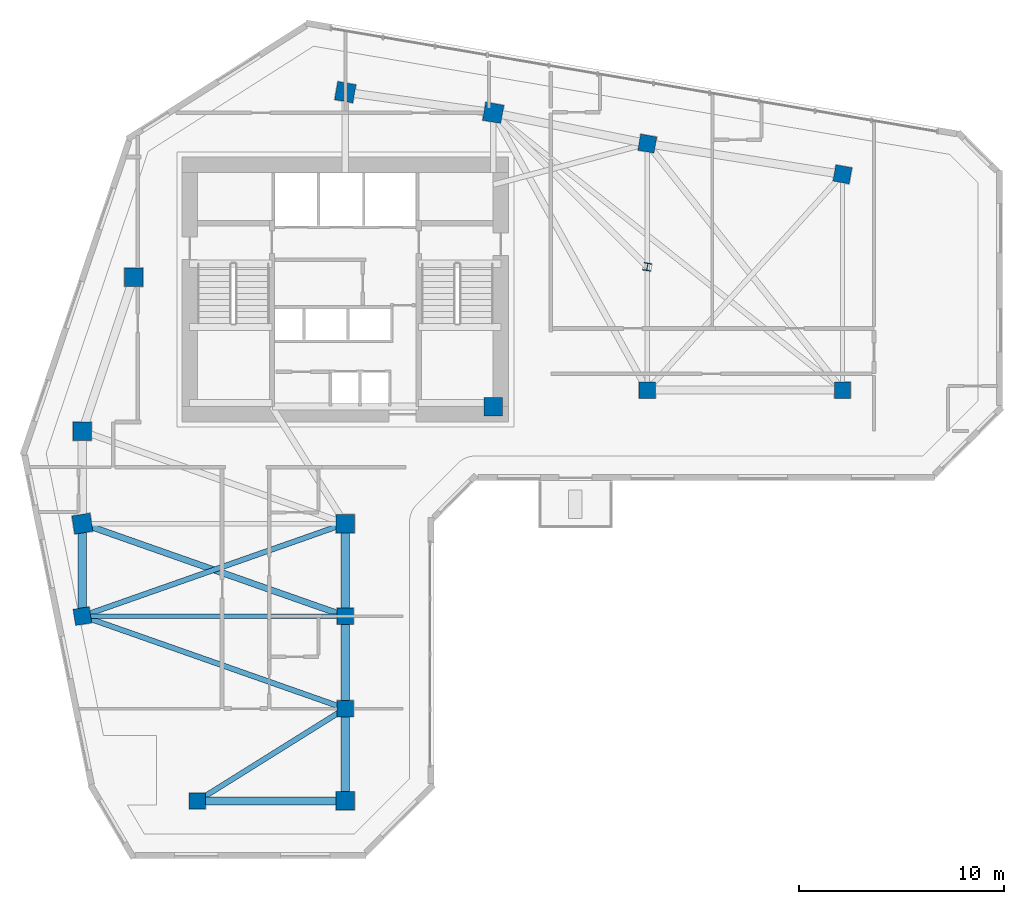
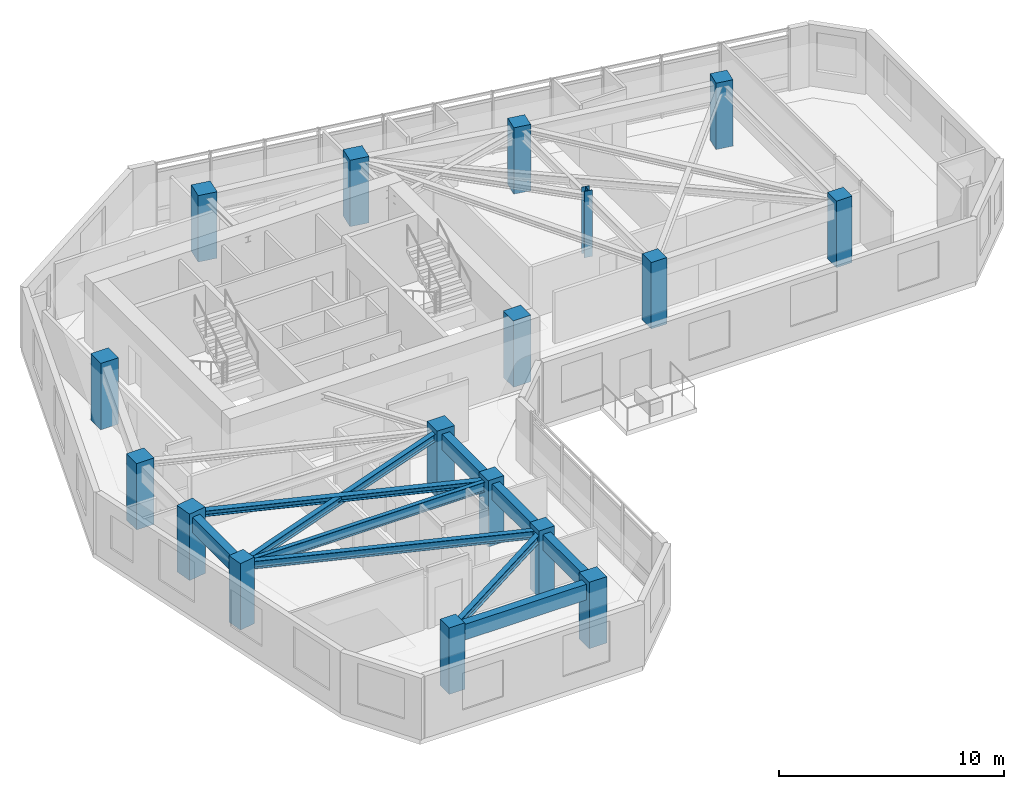
# One storey, part 1 of 11: 17 columns, 10 beams.
"""IFC4 building model written with IfcOpenShell, lengths in metres."""

from ifc_helpers import new_model, si_unit, direction, frame, origin, origin_2d, place, context, subcontext, project, spatial, rectangle, i_section, extrude, source, transform, mapped, material, material_profile, profile_set, type_object, element, save


model = new_model("IFC4")

# Units and contexts
model_context = context("Model", 3, precision=1e-05, world=origin(), true_north=direction((0.0, 1.0)))
body_context = subcontext(model_context, "Body", "Model", "MODEL_VIEW")
ifc_project = project(units=[si_unit("LENGTHUNIT", "METRE"), si_unit("AREAUNIT", "SQUARE_METRE"), si_unit("VOLUMEUNIT", "CUBIC_METRE"), si_unit("PLANEANGLEUNIT", "RADIAN"), si_unit("MASSUNIT", "GRAM", prefix="KILO")], contexts=[model_context])

# Site, building, storey
site_placement = place(None, origin())
site = spatial("IfcSite", under=ifc_project, at=site_placement, CompositionType="ELEMENT")
building_placement = place(site_placement, origin())
building = spatial("IfcBuilding", under=site, at=building_placement, Name="Calvemar Wedge Station Tower", CompositionType="ELEMENT")
storey_placement = place(building_placement, frame((0.0, 0.0, 143.0)))
storey = spatial("IfcBuildingStorey", under=building, at=storey_placement, Name="L35", CompositionType="ELEMENT", Elevation=143.0)

# Columns
ifc_material_1 = material(Name="Concrete C60", Category="concrete")
ifc_material_profile_1 = material_profile(ifc_material_1, rectangle(XDim=0.89990234375, YDim=0.89990234375, at=origin_2d()), Name="RC900x900")
ifc_profile_set_1 = profile_set([ifc_material_profile_1], Name="Concrete C60")
column_type_1 = type_object("IfcColumnType", Name="COL-C5-900", PredefinedType="COLUMN", material=ifc_profile_set_1)
shared_shape_1 = source(origin(), body_context, "Body", "SweptSolid", [
    extrude(rectangle(XDim=0.89990234375, YDim=0.89990234375, at=origin_2d()), origin(), (0.0, 0.0, 1.0), 3.60009765625),
])
for number, where, z_axis, x_axis, name in (
    (1, (11.0, 33.0, 0.0), (0.0, 0.0, 1.0), (1.0, 0.0, 0.0), "Storey L35 Column T-NW1"),
    (2, (13.5, 40.5, 0.0), (0.0, 0.0, 1.0), (1.0, 0.0, 0.0), "Storey L35 Column T-NW2"),
    (3, (23.800048828125, 49.5, 0.0), (0.0, 0.0, 1.0), (0.984195607969, -0.17708474032, 0.0), "Storey L35 Column T-N1"),
    (4, (31.0, 48.5, 0.0), (0.0, 0.0, 1.0), (0.984195607969, -0.17708474032, 0.0), "Storey L35 Column T-N2"),
    (5, (31.0, 34.199951171875, 0.0), (0.0, 0.0, 1.0), (1.0, 0.0, 0.0), "Storey L35 Column T-NL1"),
    (6, (11.0, 28.5, 0.0), (0.0, 0.0, 1.0), (0.158158067254, -0.987413806751, 0.0), "Storey L35 Column T-SW1"),
    (7, (23.800048828125, 28.5, 0.0), (0.0, 0.0, 1.0), (1.0, 0.0, 0.0), "Storey L35 Column T-SE1"),
    (8, (23.800048828125, 15.0, 0.0), (0.0, 0.0, 1.0), (1.0, 0.0, 0.0), "Storey L35 Column T-SE4"),
):
    element("IfcColumn", number, at=place(storey_placement, frame(where, z_axis=z_axis, x_axis=x_axis)), inside=storey, type_object=column_type_1, Name=name, PredefinedType="COLUMN", context=body_context, shape_type="MappedRepresentation", body=[
        mapped(shared_shape_1, transform((0.0, 0.0, 0.0), scale=1.0)),
    ])
ifc_material_2 = material(Name="Concrete C50", Category="concrete")
ifc_material_profile_2 = material_profile(ifc_material_2, rectangle(XDim=0.800048828125, YDim=0.800048828125, at=origin_2d()), Name="RC800x800")
ifc_profile_set_2 = profile_set([ifc_material_profile_2], Name="Concrete C50")
column_type_2 = type_object("IfcColumnType", Name="COL-C6-800", PredefinedType="COLUMN", material=ifc_profile_set_2)
shared_shape_2 = source(origin(), body_context, "Body", "SweptSolid", [
    extrude(rectangle(XDim=0.800048828125, YDim=0.800048828125, at=origin_2d()), origin(), (0.0, 0.0, 1.0), 3.60009765625),
])
for number, where, z_axis, x_axis, name in (
    (9, (38.5, 47.0, 0.0), (0.0, 0.0, 1.0), (0.984195607969, -0.17708474032, 0.0), "Storey L35 Column T-NU3"),
    (10, (48.0, 45.5, 0.0), (0.0, 0.0, 1.0), (0.984195607969, -0.17708474032, 0.0), "Storey L35 Column T-NU4"),
    (11, (38.5, 35.0, 0.0), (0.0, 0.0, 1.0), (1.0, 0.0, 0.0), "Storey L35 Column T-NL2"),
    (12, (48.0, 35.0, 0.0), (0.0, 0.0, 1.0), (1.0, 0.0, 0.0), "Storey L35 Column T-NL3"),
    (13, (11.0, 24.0, 0.0), (0.0, 0.0, 1.0), (0.158158067254, -0.987413806751, 0.0), "Storey L35 Column T-SW2"),
    (14, (23.800048828125, 24.0, 0.0), (0.0, 0.0, 1.0), (1.0, 0.0, 0.0), "Storey L35 Column T-SE2"),
    (15, (23.800048828125, 19.5, 0.0), (0.0, 0.0, 1.0), (1.0, 0.0, 0.0), "Storey L35 Column T-SE3"),
    (16, (16.60009765625, 15.0, 0.0), (0.0, 0.0, 1.0), (1.0, 0.0, 0.0), "Storey L35 Column T-SM1"),
):
    element("IfcColumn", number, at=place(storey_placement, frame(where, z_axis=z_axis, x_axis=x_axis)), inside=storey, type_object=column_type_2, Name=name, PredefinedType="COLUMN", context=body_context, shape_type="MappedRepresentation", body=[
        mapped(shared_shape_2, transform((0.0, 0.0, 0.0), scale=1.0)),
    ])
ifc_material_3 = material(Name="Structural steel ASTM A572 Grade 50", Category="steel")
ifc_material_profile_3 = material_profile(ifc_material_3, i_section(OverallWidth=0.3740234375, OverallDepth=0.3720703125, WebThickness=0.016357421875, FlangeThickness=0.026123046875, FilletRadius=0.014892578125, at=origin_2d()), Name="W360x196")
ifc_profile_set_3 = profile_set([ifc_material_profile_3], Name="Structural steel ASTM A572 Grade 50")
column_type_3 = type_object("IfcColumnType", Name="COL-STL-W360", PredefinedType="COLUMN", material=ifc_profile_set_3)
shared_shape_3 = source(origin(), body_context, "Body", "SweptSolid", [
    extrude(i_section(OverallWidth=0.3740234375, OverallDepth=0.3720703125, WebThickness=0.016357421875, FlangeThickness=0.026123046875, FilletRadius=0.014892578125, at=origin_2d()), origin(), (0.0, 0.0, 1.0), 3.60009765625),
])
column_placement = place(storey_placement, frame((38.5, 41.0, 0.0), z_axis=(0.0, 0.0, 1.0), x_axis=(0.984195607969, -0.17708474032, 0.0)))
element("IfcColumn", 17, at=column_placement, inside=storey, type_object=column_type_3, Name="Storey L35 Column T-NTIP-B", PredefinedType="COLUMN", context=body_context, shape_type="MappedRepresentation", body=[
    mapped(shared_shape_3, transform((0.0, 0.0, 0.0), scale=1.0)),
])

# Beams
ifc_material_profile_4 = material_profile(ifc_material_1, rectangle(XDim=0.39990234375, YDim=0.85009765625, at=origin_2d()), Name="RC400x850")
ifc_profile_set_4 = profile_set([ifc_material_profile_4], Name="Concrete C60")
beam_type_1 = type_object("IfcBeamType", Name="BM-SP1-850", PredefinedType="SPANDREL", material=ifc_profile_set_4)
shared_shape_4 = source(origin(), body_context, "Body", "SweptSolid", [
    extrude(rectangle(XDim=0.39990234375, YDim=0.85009765625, at=origin_2d()), origin(), (0.0, 0.0, 1.0), 4.5),
])
for number, where, z_axis, x_axis, name in (
    (18, (11.0, 28.5, 2.925048828125), (0.0, -1.0, 0.0), (1.0, 0.0, 0.0), "Storey L35 Spandrel T-SW1-T-SW2"),
    (19, (23.800048828125, 28.5, 2.925048828125), (0.0, -1.0, 0.0), (1.0, 0.0, 0.0), "Storey L35 Spandrel T-SE1-T-SE2"),
    (20, (23.800048828125, 24.0, 2.925048828125), (0.0, -1.0, 0.0), (1.0, 0.0, 0.0), "Storey L35 Spandrel T-SE2-T-SE3"),
    (21, (23.800048828125, 19.5, 2.925048828125), (0.0, -1.0, 0.0), (1.0, 0.0, 0.0), "Storey L35 Spandrel T-SE3-T-SE4"),
):
    element("IfcBeam", number, at=place(storey_placement, frame(where, z_axis=z_axis, x_axis=x_axis)), inside=storey, type_object=beam_type_1, Name=name, PredefinedType="SPANDREL", context=body_context, shape_type="MappedRepresentation", body=[
        mapped(shared_shape_4, transform((0.0, 0.0, 0.0), scale=1.0)),
    ])
shared_shape_5 = source(origin(), body_context, "Body", "SweptSolid", [
    extrude(rectangle(XDim=0.39990234375, YDim=0.85009765625, at=origin_2d()), origin(), (0.0, 0.0, 1.0), 7.199951171875),
])
beam_1_placement = place(storey_placement, frame((16.60009765625, 15.0, 2.925048828125), z_axis=(1.0, 0.0, 0.0), x_axis=(0.0, 1.0, 0.0)))
element("IfcBeam", 22, at=beam_1_placement, inside=storey, type_object=beam_type_1, Name="Storey L35 Spandrel T-SM1-T-SE4", PredefinedType="SPANDREL", context=body_context, shape_type="MappedRepresentation", body=[
    mapped(shared_shape_5, transform((0.0, 0.0, 0.0), scale=1.0)),
])
ifc_material_profile_5 = material_profile(ifc_material_3, i_section(OverallWidth=0.304931640625, OverallDepth=0.30810546875, WebThickness=0.010009765625, FlangeThickness=0.015380859375, FilletRadius=0.014892578125, at=origin_2d()), Name="W310x97")
ifc_profile_set_5 = profile_set([ifc_material_profile_5], Name="Structural steel ASTM A572 Grade 50")
beam_type_2 = type_object("IfcBeamType", Name="BM-J6-W310", PredefinedType="JOIST", material=ifc_profile_set_5)
shared_shape_6 = source(origin(), body_context, "Body", "SweptSolid", [
    extrude(i_section(OverallWidth=0.304931640625, OverallDepth=0.30810546875, WebThickness=0.010009765625, FlangeThickness=0.015380859375, FilletRadius=0.014892578125, at=origin_2d()), origin(), (0.0, 0.0, 1.0), 13.568115234375),
])
beam_2_placement = place(storey_placement, frame((11.0, 28.5, 3.196044921875), z_axis=(0.943398221169, -0.331662171939, 0.0), x_axis=(0.331662171939, 0.943398221169, 0.0)))
element("IfcBeam", 23, at=beam_2_placement, inside=storey, type_object=beam_type_2, Name="Storey L35 Floor Beam T-SW1-T-SE2", PredefinedType="JOIST", context=body_context, shape_type="MappedRepresentation", body=[
    mapped(shared_shape_6, transform((0.0, 0.0, 0.0), scale=1.0)),
])
ifc_material_profile_6 = material_profile(ifc_material_3, i_section(OverallWidth=0.260986328125, OverallDepth=0.419921875, WebThickness=0.01171875, FlangeThickness=0.019287109375, FilletRadius=0.012939453125, at=origin_2d()), Name="W410x114")
ifc_profile_set_6 = profile_set([ifc_material_profile_6], Name="Structural steel ASTM A572 Grade 50")
beam_type_3 = type_object("IfcBeamType", Name="BM-J2-W410H", PredefinedType="JOIST", material=ifc_profile_set_6)
shared_shape_7 = source(origin(), body_context, "Body", "SweptSolid", [
    extrude(i_section(OverallWidth=0.260986328125, OverallDepth=0.419921875, WebThickness=0.01171875, FlangeThickness=0.019287109375, FilletRadius=0.012939453125, at=origin_2d()), origin(), (0.0, 0.0, 1.0), 13.568115234375),
])
for number, where, z_axis, x_axis, name in (
    (24, (23.800048828125, 28.5, 3.139892578125), (-0.943398221169, -0.331662171939, 0.0), (0.331662171939, -0.943398221169, 0.0), "Storey L35 Floor Beam T-SE1-T-SW2"),
    (25, (11.0, 24.0, 3.139892578125), (0.943398221169, -0.331662171939, 0.0), (0.331662171939, 0.943398221169, 0.0), "Storey L35 Floor Beam T-SW2-T-SE3"),
):
    element("IfcBeam", number, at=place(storey_placement, frame(where, z_axis=z_axis, x_axis=x_axis)), inside=storey, type_object=beam_type_3, Name=name, PredefinedType="JOIST", context=body_context, shape_type="MappedRepresentation", body=[
        mapped(shared_shape_7, transform((0.0, 0.0, 0.0), scale=1.0)),
    ])
shared_shape_8 = source(origin(), body_context, "Body", "SweptSolid", [
    extrude(i_section(OverallWidth=0.260986328125, OverallDepth=0.419921875, WebThickness=0.01171875, FlangeThickness=0.019287109375, FilletRadius=0.012939453125, at=origin_2d()), origin(), (0.0, 0.0, 1.0), 8.490478515625),
])
beam_3_placement = place(storey_placement, frame((23.800048828125, 19.5, 3.139892578125), z_axis=(-0.847996688584, -0.530001524668, 0.0), x_axis=(0.530001524668, -0.847996688584, 0.0)))
element("IfcBeam", 26, at=beam_3_placement, inside=storey, type_object=beam_type_3, Name="Storey L35 Floor Beam T-SE3-T-SM1", PredefinedType="JOIST", context=body_context, shape_type="MappedRepresentation", body=[
    mapped(shared_shape_8, transform((0.0, 0.0, 0.0), scale=1.0)),
])
ifc_material_profile_7 = material_profile(ifc_material_3, i_section(OverallWidth=0.2109375, OverallDepth=0.5390625, WebThickness=0.01171875, FlangeThickness=0.018798828125, FilletRadius=0.012939453125, at=origin_2d()), Name="W530x109")
ifc_profile_set_7 = profile_set([ifc_material_profile_7], Name="Structural steel ASTM A572 Grade 50")
beam_type_4 = type_object("IfcBeamType", Name="BM-SB4-W530", PredefinedType="BEAM", material=ifc_profile_set_7)
shared_shape_9 = source(origin(), body_context, "Body", "SweptSolid", [
    extrude(i_section(OverallWidth=0.2109375, OverallDepth=0.5390625, WebThickness=0.01171875, FlangeThickness=0.018798828125, FilletRadius=0.012939453125, at=origin_2d()), origin(), (0.0, 0.0, 1.0), 12.800048828125),
])
beam_4_placement = place(storey_placement, frame((11.0, 24.0, 3.08056640625), z_axis=(1.0, 0.0, 0.0), x_axis=(0.0, 1.0, 0.0)))
element("IfcBeam", 27, at=beam_4_placement, inside=storey, type_object=beam_type_4, Name="Storey L35 Floor Beam T-SW2-T-SE2", PredefinedType="BEAM", context=body_context, shape_type="MappedRepresentation", body=[
    mapped(shared_shape_9, transform((0.0, 0.0, 0.0), scale=1.0)),
])

save(model, "model.ifc")
